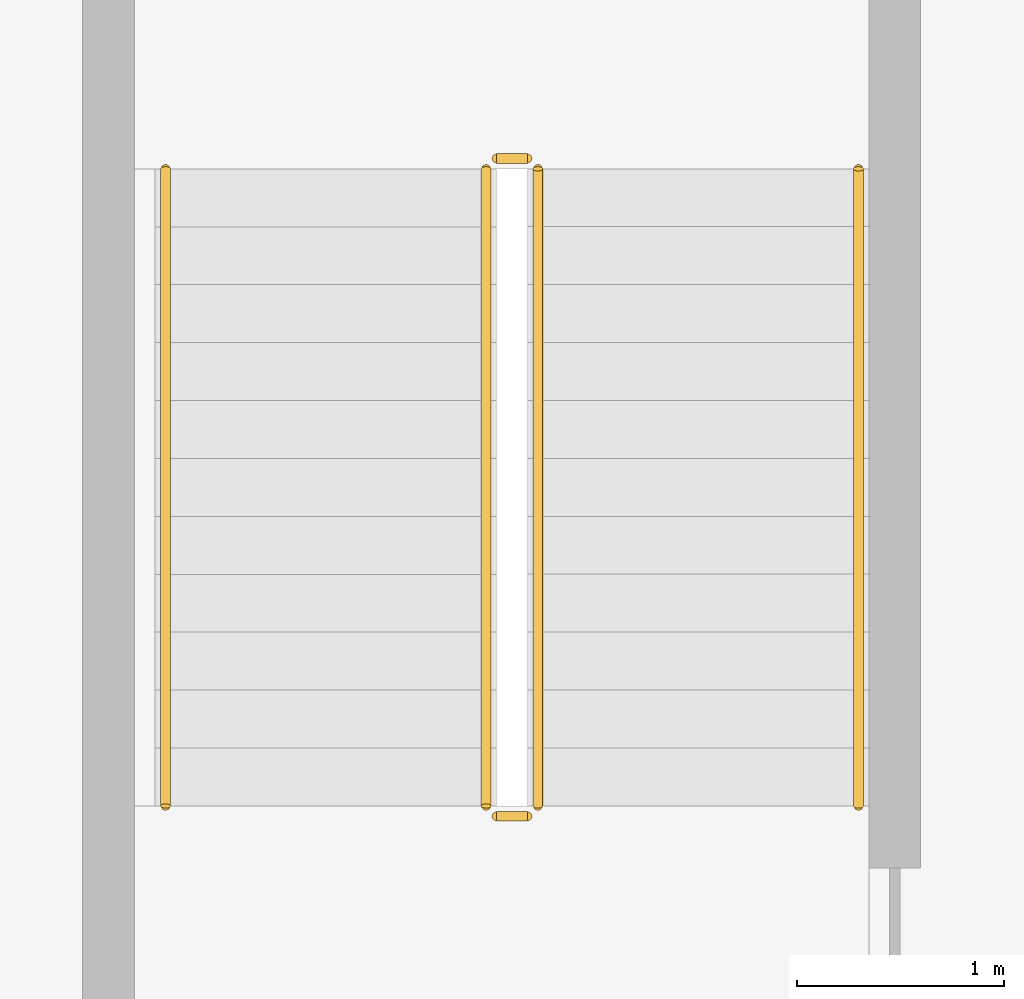
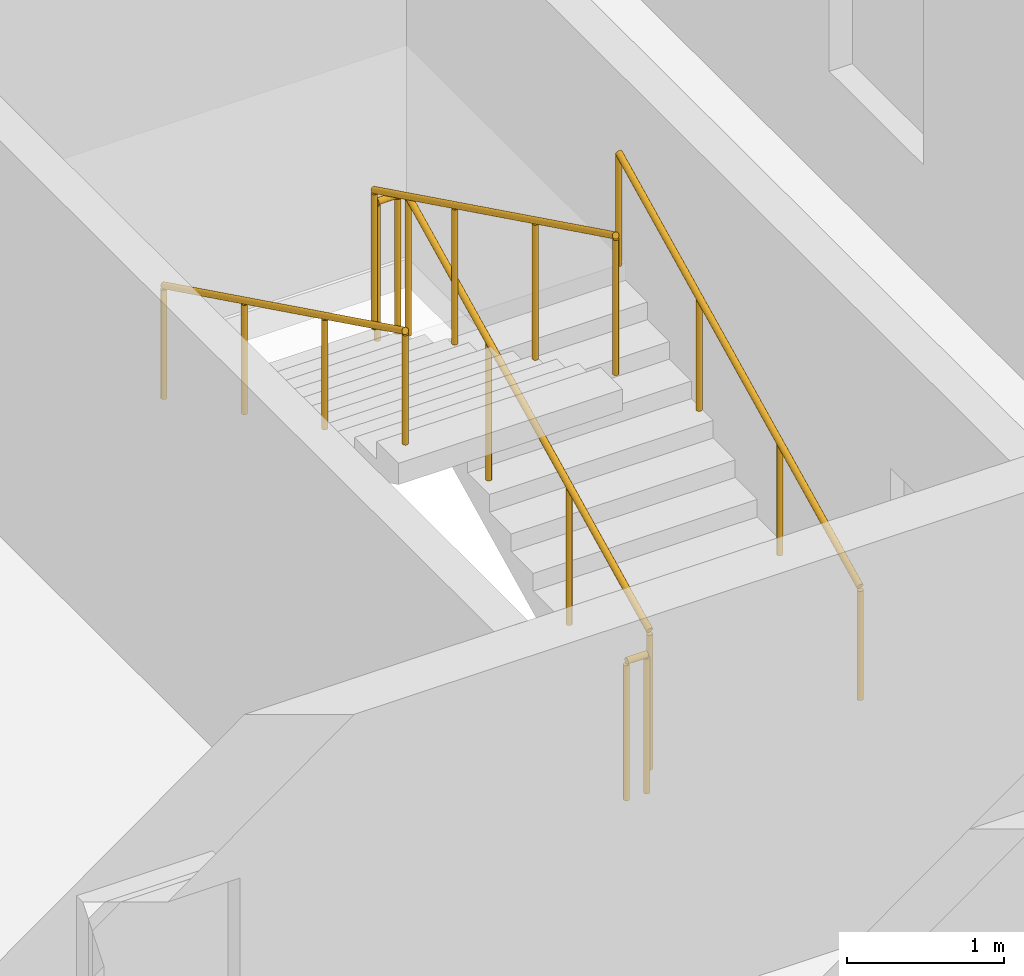
# One storey, part 15 of 29: 6 railings.
"""IFC4 building model written with IfcOpenShell, lengths in metres."""

from ifc_helpers import new_model, si_unit, direction, frame, origin, origin_2d, place, context, subcontext, project, spatial, circle, extrude, material, type_object, element, save


model = new_model("IFC4")

# Units and contexts
model_context = context("Model", 3, precision=1e-05, world=origin(), true_north=direction((0.0, 1.0)))
body_context = subcontext(model_context, "Body", "Model", "MODEL_VIEW")
ifc_project = project(units=[si_unit("LENGTHUNIT", "METRE"), si_unit("AREAUNIT", "SQUARE_METRE"), si_unit("VOLUMEUNIT", "CUBIC_METRE"), si_unit("PLANEANGLEUNIT", "RADIAN"), si_unit("MASSUNIT", "GRAM", prefix="KILO")], contexts=[model_context])

# Site, building, storey
site_placement = place(None, origin())
site = spatial("IfcSite", under=ifc_project, at=site_placement, CompositionType="ELEMENT")
building_placement = place(site_placement, origin())
building = spatial("IfcBuilding", under=site, at=building_placement, Name="Poui Terraces", CompositionType="ELEMENT")
storey_placement = place(building_placement, frame((0.0, 0.0, 234.60009765625)))
storey = spatial("IfcBuildingStorey", under=building, at=storey_placement, Name="L65", CompositionType="ELEMENT", Elevation=234.60009765625)

# Railings
ifc_material_1 = material(Name="Galvanised steel balustrade", Category="steel")
railing_type_1 = type_object("IfcRailingType", Name="STAIR GUARD 1100", PredefinedType="GUARDRAIL", material=ifc_material_1)
railing_1_placement = place(storey_placement, frame((79.47509765625, 16.60009765625, 0.137451171875)))
element("IfcRailing", 1, at=railing_1_placement, inside=storey, type_object=railing_type_1, Name="L65 ST-E stair guard 1", PredefinedType="GUARDRAIL", context=body_context, shape_type="SweptSolid", body=[
    extrude(circle(Radius=0.02392578125, at=origin_2d()), frame((0.0, 0.0, 1.076171875), z_axis=(0.0, 0.897606190399, 0.440798283751), x_axis=(-1.0, 0.0, 0.0)), (0.0, 0.0, 1.0), 3.43115234375),
    extrude(circle(Radius=0.02099609375, at=origin_2d()), origin(), (0.0, 0.0, 1.0), 1.052001953125),
    extrude(circle(Radius=0.02099609375, at=origin_2d()), frame((0.0, 1.026611328125, 0.504150390625)), (0.0, 0.0, 1.0), 1.052001953125),
    extrude(circle(Radius=0.02099609375, at=origin_2d()), frame((0.0, 2.05322265625, 1.00830078125)), (0.0, 0.0, 1.0), 1.052001953125),
    extrude(circle(Radius=0.02099609375, at=origin_2d()), frame((0.0, 3.079833984375, 1.512451171875)), (0.0, 0.0, 1.0), 1.052001953125),
])
railing_2_placement = place(storey_placement, frame((79.425048828125, 19.72998046875, 1.64990234375)))
element("IfcRailing", 2, at=railing_2_placement, inside=storey, type_object=railing_type_1, Name="L65 ST-E stair guard 2", PredefinedType="GUARDRAIL", context=body_context, shape_type="SweptSolid", body=[
    extrude(circle(Radius=0.02392578125, at=origin_2d()), frame((0.0, 0.0, 1.076171875), z_axis=(-1.0, 0.0, 0.0), x_axis=(0.0, -1.0, 0.0)), (0.0, 0.0, 1.0), 0.150146484375),
    extrude(circle(Radius=0.02099609375, at=origin_2d()), origin(), (0.0, 0.0, 1.0), 1.052001953125),
    extrude(circle(Radius=0.02099609375, at=origin_2d()), frame((-0.150146484375, 0.0, 0.0)), (0.0, 0.0, 1.0), 1.052001953125),
])
railing_3_placement = place(storey_placement, frame((79.22509765625, 19.679931640625, 1.787353515625)))
element("IfcRailing", 3, at=railing_3_placement, inside=storey, type_object=railing_type_1, Name="L65 ST-E stair guard 3", PredefinedType="GUARDRAIL", context=body_context, shape_type="SweptSolid", body=[
    extrude(circle(Radius=0.02392578125, at=origin_2d()), frame((0.0, 0.0, 1.076171875), z_axis=(0.0, -0.897606190399, 0.440798283751), x_axis=(1.0, 0.0, 0.0)), (0.0, 0.0, 1.0), 3.43115234375),
    extrude(circle(Radius=0.02099609375, at=origin_2d()), origin(), (0.0, 0.0, 1.0), 1.052001953125),
    extrude(circle(Radius=0.02099609375, at=origin_2d()), frame((0.0, -1.026611328125, 0.504150390625)), (0.0, 0.0, 1.0), 1.052001953125),
    extrude(circle(Radius=0.02099609375, at=origin_2d()), frame((0.0, -2.05322265625, 1.00830078125)), (0.0, 0.0, 1.0), 1.052001953125),
    extrude(circle(Radius=0.02099609375, at=origin_2d()), frame((0.0, -3.079833984375, 1.512451171875)), (0.0, 0.0, 1.0), 1.052001953125),
])
railing_4_placement = place(storey_placement, frame((79.425048828125, 16.550048828125, 0.0)))
element("IfcRailing", 4, at=railing_4_placement, inside=storey, type_object=railing_type_1, Name="L65 ST-E stair guard 4", PredefinedType="GUARDRAIL", context=body_context, shape_type="SweptSolid", body=[
    extrude(circle(Radius=0.02392578125, at=origin_2d()), frame((0.0, 0.0, 1.076171875), z_axis=(-1.0, 0.0, 0.0), x_axis=(0.0, -1.0, 0.0)), (0.0, 0.0, 1.0), 0.150146484375),
    extrude(circle(Radius=0.02099609375, at=origin_2d()), origin(), (0.0, 0.0, 1.0), 1.052001953125),
    extrude(circle(Radius=0.02099609375, at=origin_2d()), frame((-0.150146484375, 0.0, 0.0)), (0.0, 0.0, 1.0), 1.052001953125),
])
ifc_material_2 = material(Name="Stainless steel handrail", Category="steel")
railing_type_2 = type_object("IfcRailingType", Name="STAIR HANDRAIL 900", PredefinedType="HANDRAIL", material=ifc_material_2)
railing_5_placement = place(storey_placement, frame((81.02490234375, 16.60009765625, 0.137451171875)))
element("IfcRailing", 5, at=railing_5_placement, inside=storey, type_object=railing_type_2, Name="L65 ST-E stair handrail 1", PredefinedType="HANDRAIL", context=body_context, shape_type="SweptSolid", body=[
    extrude(circle(Radius=0.02392578125, at=origin_2d()), frame((0.0, 0.0, 0.8759765625), z_axis=(0.0, 0.897606190399, 0.440798283751), x_axis=(-1.0, 0.0, 0.0)), (0.0, 0.0, 1.0), 3.43115234375),
    extrude(circle(Radius=0.02099609375, at=origin_2d()), origin(), (0.0, 0.0, 1.0), 0.851806640625),
    extrude(circle(Radius=0.02099609375, at=origin_2d()), frame((0.0, 1.026611328125, 0.504150390625)), (0.0, 0.0, 1.0), 0.851806640625),
    extrude(circle(Radius=0.02099609375, at=origin_2d()), frame((0.0, 2.05322265625, 1.00830078125)), (0.0, 0.0, 1.0), 0.851806640625),
    extrude(circle(Radius=0.02099609375, at=origin_2d()), frame((0.0, 3.079833984375, 1.512451171875)), (0.0, 0.0, 1.0), 0.851806640625),
])
railing_6_placement = place(storey_placement, frame((77.675048828125, 19.679931640625, 1.787353515625)))
element("IfcRailing", 6, at=railing_6_placement, inside=storey, type_object=railing_type_2, Name="L65 ST-E stair handrail 2", PredefinedType="HANDRAIL", context=body_context, shape_type="SweptSolid", body=[
    extrude(circle(Radius=0.02392578125, at=origin_2d()), frame((0.0, 0.0, 0.8759765625), z_axis=(0.0, -0.897606190399, 0.440798283751), x_axis=(1.0, 0.0, 0.0)), (0.0, 0.0, 1.0), 3.43115234375),
    extrude(circle(Radius=0.02099609375, at=origin_2d()), origin(), (0.0, 0.0, 1.0), 0.851806640625),
    extrude(circle(Radius=0.02099609375, at=origin_2d()), frame((0.0, -1.026611328125, 0.504150390625)), (0.0, 0.0, 1.0), 0.851806640625),
    extrude(circle(Radius=0.02099609375, at=origin_2d()), frame((0.0, -2.05322265625, 1.00830078125)), (0.0, 0.0, 1.0), 0.851806640625),
    extrude(circle(Radius=0.02099609375, at=origin_2d()), frame((0.0, -3.079833984375, 1.512451171875)), (0.0, 0.0, 1.0), 0.851806640625),
])

save(model, "model.ifc")
